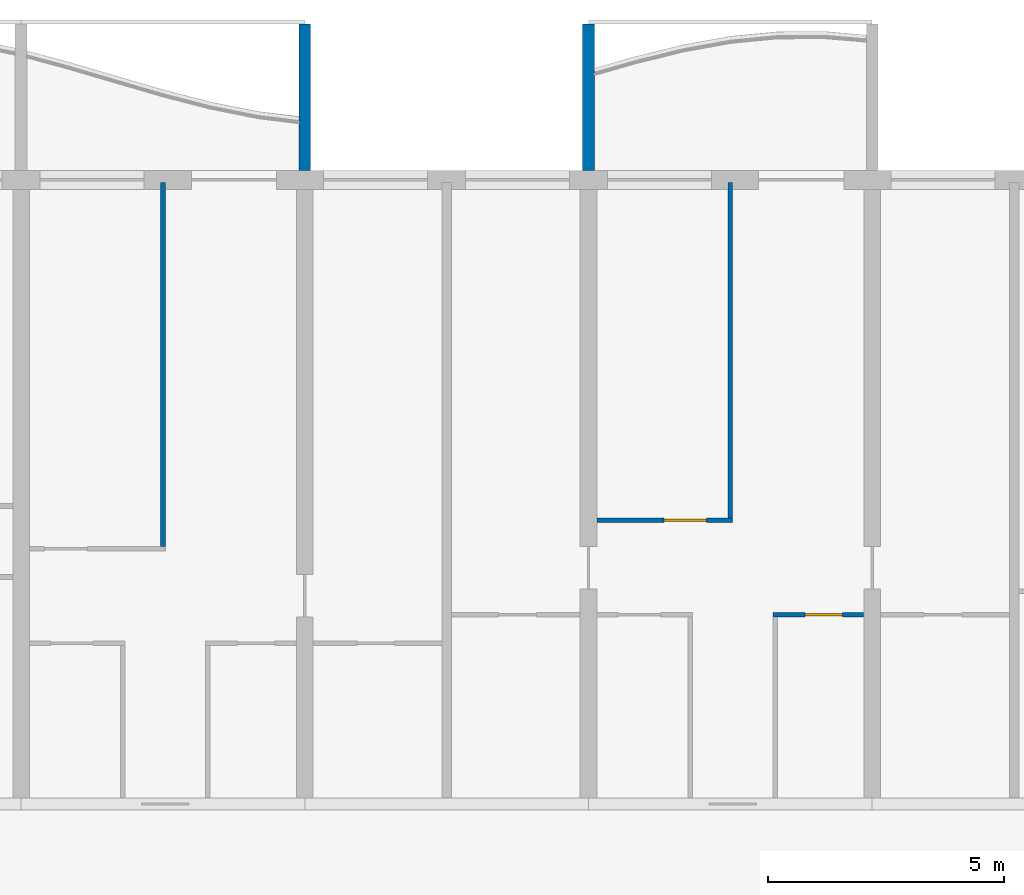
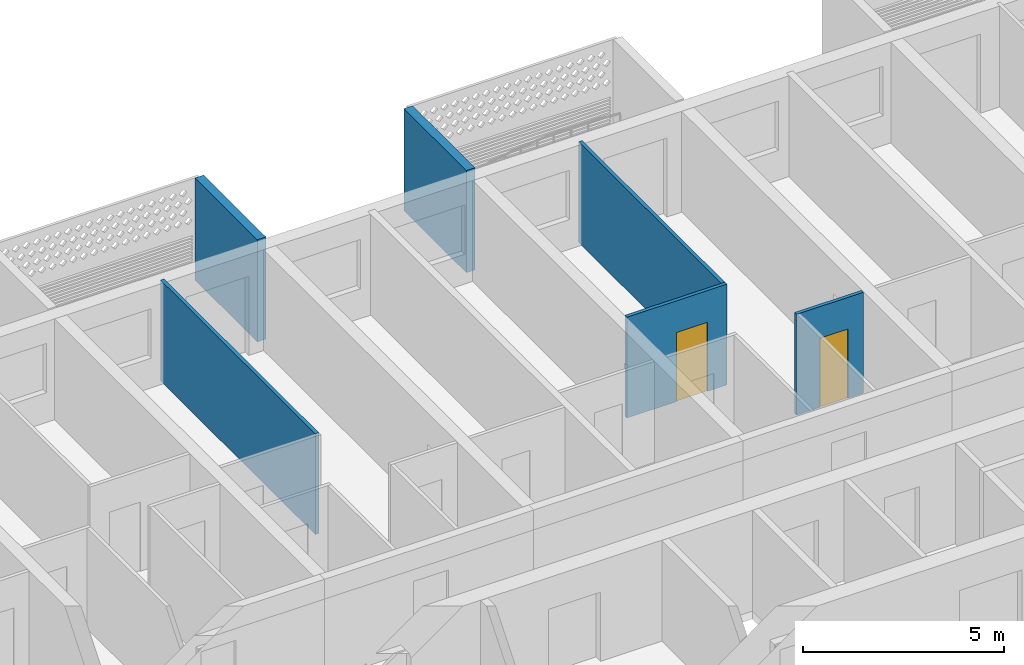
# One storey, part 11 of 29: 6 walls, 2 doors, 2 openings.
"""IFC4 building model written with IfcOpenShell, lengths in metres."""

from ifc_helpers import new_model, si_unit, direction, frame, frame_2d, origin, place, context, subcontext, project, spatial, polyline, rectangle, outline, extrude, source, transform, mapped, material, layer, layer_set, type_object, element, fill, save


model = new_model("IFC4")

# Units and contexts
model_context = context("Model", 3, precision=1e-05, world=origin(), true_north=direction((0.0, 1.0)))
body_context = subcontext(model_context, "Body", "Model", "MODEL_VIEW")
ifc_project = project(units=[si_unit("LENGTHUNIT", "METRE"), si_unit("AREAUNIT", "SQUARE_METRE"), si_unit("VOLUMEUNIT", "CUBIC_METRE"), si_unit("PLANEANGLEUNIT", "RADIAN"), si_unit("MASSUNIT", "GRAM", prefix="KILO")], contexts=[model_context])

# Site, building, storey
site_placement = place(None, origin())
site = spatial("IfcSite", under=ifc_project, at=site_placement, CompositionType="ELEMENT")
building_placement = place(site_placement, origin())
building = spatial("IfcBuilding", under=site, at=building_placement, Name="Poui Terraces", CompositionType="ELEMENT")
storey_placement = place(building_placement, frame((0.0, 0.0, 86.10009765625)))
storey = spatial("IfcBuildingStorey", under=building, at=storey_placement, Name="L23", CompositionType="ELEMENT", Elevation=86.10009765625)

# Wall, opening, door
ifc_material_1 = material(Name="Plasterboard partition")
ifc_layer_1 = layer(ifc_material_1, 0.10009765625)
ifc_layer_set_1 = layer_set([ifc_layer_1], Name="Plasterboard partition")
wall_type_1 = type_object("IfcWallType", Name="FLAT PARTITION 100", PredefinedType="PARTITIONING", material=ifc_layer_set_1)
wall_1_placement = place(storey_placement, frame((51.89990234375, 34.39990234375, 0.0), z_axis=(0.0, 0.0, 1.0), x_axis=(1.0, 0.0, 0.0)))
wall_1 = element("IfcWall", 1, at=wall_1_placement, inside=storey, type_object=wall_type_1, Name="FLAT PARTITION 100", PredefinedType="PARTITIONING", context=body_context, shape_type="SweptSolid", body=[
    extrude(rectangle(XDim=1.9150390625, YDim=0.10009765625, at=frame_2d((0.95751953125, 0.0))), origin(), (0.0, 0.0, 1.0), 3.059814453125),
])
opening_1_placement = place(wall_1_placement, frame((0.675048828125, 0.0, 0.0)))
opening_1 = element("IfcOpeningElement", 2, at=opening_1_placement, cuts=wall_1, Name="Opening D80", PredefinedType="OPENING", context=body_context, shape_type="SweptSolid", body=[
    extrude(rectangle(XDim=0.800048828125, YDim=2.10009765625, at=frame_2d((0.39990234375, 1.050048828125))), frame((0.0, 0.06005859375, 0.0), z_axis=(0.0, -1.0, 0.0), x_axis=(1.0, 0.0, 0.0)), (0.0, 0.0, 1.0), 0.1201171875),
])
ifc_material_2 = material(Name="Solid core timber door", Category="wood")
door_type_1 = type_object("IfcDoorType", Name="BATHROOM, LAUNDRY AND STORE DOOR 800 X 2100", OperationType="NOTDEFINED", PredefinedType="DOOR", material=ifc_material_2)
door_1_placement = place(opening_1_placement, frame((0.800048828125, 0.0, 0.0), z_axis=(0.0, 0.0, 1.0), x_axis=(-1.0, 0.0, 0.0)))
door_1 = element("IfcDoor", 3, at=door_1_placement, inside=storey, type_object=door_type_1, Name="BATHROOM, LAUNDRY AND STORE DOOR 059", OperationType="SINGLE_SWING_RIGHT", OverallHeight=2.10009765625, OverallWidth=0.800048828125, PredefinedType="DOOR", context=body_context, shape_type="SweptSolid", body=[
    extrude(rectangle(XDim=0.800048828125, YDim=2.10009765625, at=frame_2d((0.39990234375, 1.050048828125))), frame((0.0, 0.02490234375, 0.0), z_axis=(0.0, -1.0, 0.0), x_axis=(1.0, 0.0, 0.0)), (0.0, 0.0, 1.0), 0.050048828125),
])
fill(opening_1, door_1)

wall_2_placement = place(storey_placement, frame((48.18505859375, 36.39990234375, 0.0), z_axis=(0.0, 0.0, 1.0), x_axis=(1.0, 0.0, 0.0)))
wall_2 = element("IfcWall", 4, at=wall_2_placement, inside=storey, type_object=wall_type_1, Name="FLAT PARTITION 100", PredefinedType="PARTITIONING", context=body_context, shape_type="SweptSolid", body=[
    extrude(rectangle(XDim=2.864990234375, YDim=0.10009765625, at=frame_2d((1.4326171875, 0.0))), origin(), (0.0, 0.0, 1.0), 3.059814453125),
])
opening_2_placement = place(wall_2_placement, frame((1.4150390625, 0.0, 0.0)))
opening_2 = element("IfcOpeningElement", 5, at=opening_2_placement, cuts=wall_2, Name="Opening D90", PredefinedType="OPENING", context=body_context, shape_type="SweptSolid", body=[
    extrude(rectangle(XDim=0.89990234375, YDim=2.10009765625, at=frame_2d((0.449951171875, 1.050048828125))), frame((0.0, 0.06005859375, 0.0), z_axis=(0.0, -1.0, 0.0), x_axis=(1.0, 0.0, 0.0)), (0.0, 0.0, 1.0), 0.1201171875),
])
door_type_2 = type_object("IfcDoorType", Name="INTERNAL DOOR 900 X 2100", OperationType="NOTDEFINED", PredefinedType="DOOR", material=ifc_material_2)
door_2_placement = place(opening_2_placement, frame((0.89990234375, 0.0, 0.0), z_axis=(0.0, 0.0, 1.0), x_axis=(-1.0, 0.0, 0.0)))
door_2 = element("IfcDoor", 6, at=door_2_placement, inside=storey, type_object=door_type_2, Name="INTERNAL DOOR 057", OperationType="SINGLE_SWING_RIGHT", OverallHeight=2.10009765625, OverallWidth=0.89990234375, PredefinedType="DOOR", context=body_context, shape_type="SweptSolid", body=[
    extrude(rectangle(XDim=0.89990234375, YDim=2.10009765625, at=frame_2d((0.449951171875, 1.050048828125))), frame((0.0, 0.02490234375, 0.0), z_axis=(0.0, -1.0, 0.0), x_axis=(1.0, 0.0, 0.0)), (0.0, 0.0, 1.0), 0.050048828125),
])
fill(opening_2, door_2)

# Walls
wall_3_placement = place(storey_placement, frame((39.0, 35.85009765625, 0.0), z_axis=(0.0, 0.0, 1.0), x_axis=(0.0, 1.0, 0.0)))
element("IfcWall", 7, at=wall_3_placement, inside=storey, type_object=wall_type_1, Name="FLAT PARTITION 100", PredefinedType="PARTITIONING", context=body_context, shape_type="SweptSolid", body=[
    extrude(rectangle(XDim=7.68994140625, YDim=0.10009765625, at=frame_2d((3.844970703125, 0.0))), origin(), (0.0, 0.0, 1.0), 3.059814453125),
])
wall_4_placement = place(storey_placement, frame((51.0, 36.449951171875, 0.0), z_axis=(0.0, 0.0, 1.0), x_axis=(0.0, 1.0, 0.0)))
element("IfcWall", 8, at=wall_4_placement, inside=storey, type_object=wall_type_1, Name="FLAT PARTITION 100", PredefinedType="PARTITIONING", context=body_context, shape_type="SweptSolid", body=[
    extrude(rectangle(XDim=7.090087890625, YDim=0.10009765625, at=frame_2d((3.544921875, 0.0))), origin(), (0.0, 0.0, 1.0), 3.059814453125),
])
ifc_material_3 = material(Name="Precast concrete 40 MPa", Category="concrete")
ifc_layer_2 = layer(ifc_material_3, 0.25)
ifc_layer_set_2 = layer_set([ifc_layer_2], Name="Precast concrete 40 MPa")
wall_type_2 = type_object("IfcWallType", Name="BALCONY FIN 250", PredefinedType="STANDARD", material=ifc_layer_set_2)
shared_shape = source(origin(), body_context, "Body", "SweptSolid", [
    extrude(outline(polyline([(0.0, 0.0), (0.25, 0.0), (0.25, 3.099853515625), (0.0, 3.099853515625), (0.0, 0.0)])), origin(), (0.0, 0.0, 1.0), 3.099853515625),
])
for number, where, name in (
    (9, (41.875, 43.800048828125, 0.0), "BALCONY FIN"),
    (10, (47.875, 43.800048828125, 0.0), "BALCONY FIN"),
):
    element("IfcWall", number, at=place(storey_placement, frame(where)), inside=storey, type_object=wall_type_2, Name=name, PredefinedType="STANDARD", context=body_context, shape_type="MappedRepresentation", body=[
        mapped(shared_shape, transform((0.0, 0.0, 0.0))),
    ])

save(model, "model.ifc")
